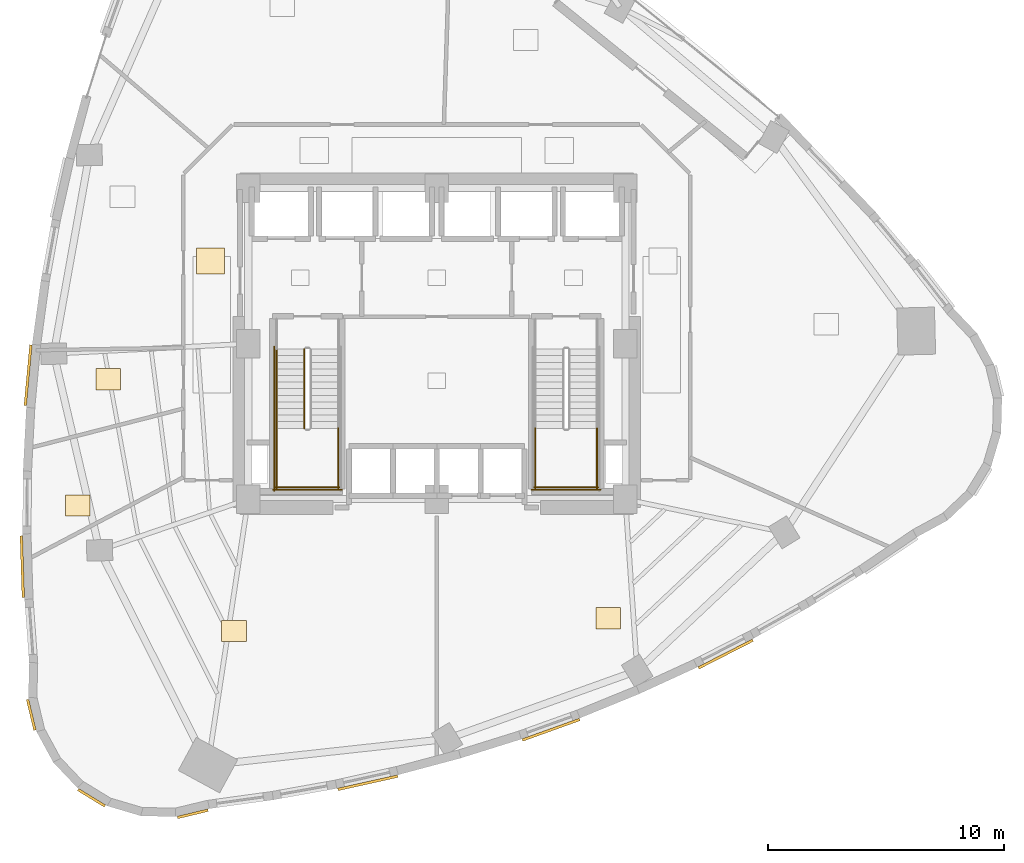
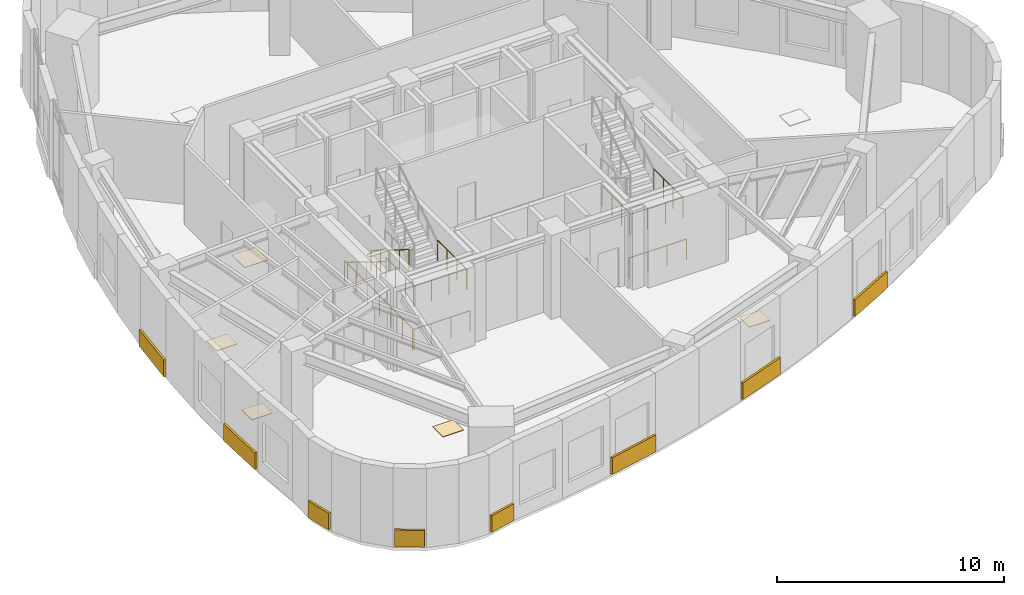
# One storey, part 14 of 16: 13 coverings, 11 railings.
"""IFC4 building model written with IfcOpenShell, lengths in metres."""

from ifc_helpers import new_model, si_unit, direction, frame, origin, origin_2d, place, context, subcontext, project, spatial, rectangle, circle, extrude, material, layer, layer_set, type_object, element, save


model = new_model("IFC4")

# Units and contexts
model_context = context("Model", 3, precision=1e-05, world=origin(), true_north=direction((0.0, 1.0)))
body_context = subcontext(model_context, "Body", "Model", "MODEL_VIEW")
ifc_project = project(units=[si_unit("LENGTHUNIT", "METRE"), si_unit("AREAUNIT", "SQUARE_METRE"), si_unit("VOLUMEUNIT", "CUBIC_METRE"), si_unit("PLANEANGLEUNIT", "RADIAN"), si_unit("MASSUNIT", "GRAM", prefix="KILO")], contexts=[model_context])

# Site, building, storey
site_placement = place(None, origin())
site = spatial("IfcSite", under=ifc_project, at=site_placement, CompositionType="ELEMENT")
building_placement = place(site_placement, origin())
building = spatial("IfcBuilding", under=site, at=building_placement, Name="Ndelora Gate Hotel", CompositionType="ELEMENT")
storey_placement = place(building_placement, frame((0.0, 0.0, 92.75)))
storey = spatial("IfcBuildingStorey", under=building, at=storey_placement, Name="L22", CompositionType="ELEMENT", Elevation=92.75)

# Coverings
ifc_material_1 = material(Name="Terracotta Fired Clay Brick Slip Cladding", Category="masonry")
ifc_layer_1 = layer(ifc_material_1, 0.110107421875)
ifc_layer_set_1 = layer_set([ifc_layer_1], Name="Terracotta Fired Clay Brick Slip Cladding")
covering_type_1 = type_object("IfcCoveringType", Name="COV-CLAD-BRK", PredefinedType="CLADDING", material=ifc_layer_set_1)
covering_1_placement = place(storey_placement, frame((-17.343505859375, -1.336669921875, 0.10009765625), z_axis=(0.0, 0.0, 1.0), x_axis=(0.093239485886, 0.995643710507, 0.0)))
element("IfcCovering", 1, at=covering_1_placement, inside=storey, type_object=covering_type_1, Name="L22 Rounded-Corner Brick Cladding Band 16", PredefinedType="CLADDING", context=body_context, shape_type="SweptSolid", body=[
    extrude(rectangle(XDim=2.583984375, YDim=0.110107421875, at=origin_2d()), origin(), (0.0, 0.0, 1.0), 0.89990234375),
])
covering_2_placement = place(storey_placement, frame((-17.58935546875, -9.464111328125, 0.10009765625), z_axis=(0.0, 0.0, 1.0), x_axis=(-0.03193409516, 0.999489976721, 0.0)))
element("IfcCovering", 2, at=covering_2_placement, inside=storey, type_object=covering_type_1, Name="L22 Rounded-Corner Brick Cladding Band 19", PredefinedType="CLADDING", context=body_context, shape_type="SweptSolid", body=[
    extrude(rectangle(XDim=2.626953125, YDim=0.110107421875, at=origin_2d()), origin(), (0.0, 0.0, 1.0), 0.89990234375),
])
for number, where, z_axis, x_axis, name in (
    (3, (-17.209716796875, -15.751708984375, 0.10009765625), (0.0, 0.0, 1.0), (-0.233445363856, 0.972369920398, 0.0), "L22 Rounded-Corner Brick Cladding Band 22"),
    (4, (-14.651611328125, -19.272705078125, 0.10009765625), (0.0, 0.0, 1.0), (-0.852640164354, 0.522498564716, 0.0), "L22 Rounded-Corner Brick Cladding Band 25"),
    (5, (-10.35302734375, -19.953369140625, 0.10009765625), (0.0, 0.0, 1.0), (0.972369920398, 0.233445363856, 0.0), "L22 Rounded-Corner Brick Cladding Band 28"),
):
    element("IfcCovering", number, at=place(storey_placement, frame(where, z_axis=z_axis, x_axis=x_axis)), inside=storey, type_object=covering_type_1, Name=name, PredefinedType="CLADDING", context=body_context, shape_type="SweptSolid", body=[
        extrude(rectangle(XDim=1.3359375, YDim=0.110107421875, at=origin_2d()), origin(), (0.0, 0.0, 1.0), 0.89990234375),
    ])
covering_3_placement = place(storey_placement, frame((-2.926513671875, -18.6357421875, 0.10009765625), z_axis=(0.0, 0.0, 1.0), x_axis=(0.976144665859, 0.21712114433, 0.0)))
element("IfcCovering", 6, at=covering_3_placement, inside=storey, type_object=covering_type_1, Name="L22 Rounded-Corner Brick Cladding Band 31", PredefinedType="CLADDING", context=body_context, shape_type="SweptSolid", body=[
    extrude(rectangle(XDim=2.60791015625, YDim=0.110107421875, at=origin_2d()), origin(), (0.0, 0.0, 1.0), 0.89990234375),
])
covering_4_placement = place(storey_placement, frame((4.849609375, -16.385498046875, 0.10009765625), z_axis=(0.0, 0.0, 1.0), x_axis=(0.94099895347, 0.338409470269, 0.0)))
element("IfcCovering", 7, at=covering_4_placement, inside=storey, type_object=covering_type_1, Name="L22 Rounded-Corner Brick Cladding Band 34", PredefinedType="CLADDING", context=body_context, shape_type="SweptSolid", body=[
    extrude(rectangle(XDim=2.580078125, YDim=0.110107421875, at=origin_2d()), origin(), (0.0, 0.0, 1.0), 0.89990234375),
])
covering_5_placement = place(storey_placement, frame((12.257568359375, -13.174560546875, 0.10009765625), z_axis=(0.0, 0.0, 1.0), x_axis=(0.890451205327, 0.455078730475, 0.0)))
element("IfcCovering", 8, at=covering_5_placement, inside=storey, type_object=covering_type_1, Name="L22 Rounded-Corner Brick Cladding Band 37", PredefinedType="CLADDING", context=body_context, shape_type="SweptSolid", body=[
    extrude(rectangle(XDim=2.593994140625, YDim=0.110107421875, at=origin_2d()), origin(), (0.0, 0.0, 1.0), 0.89990234375),
])
ifc_material_2 = material(Name="Engineered Highland Oak Parquet", Category="wood")
ifc_layer_2 = layer(ifc_material_2, 0.030029296875)
ifc_layer_set_2 = layer_set([ifc_layer_2], Name="Engineered Highland Oak Parquet")
covering_type_2 = type_object("IfcCoveringType", Name="COV-FLR-PARQ", PredefinedType="FLOORING", material=ifc_layer_set_2)
for number, where, z_axis, x_axis, name in (
    (9, (-8.606201171875, -12.189208984375, 0.0), (0.0, 0.0, 1.0), (1.0, 0.0, 0.0), "L22 Highland Spa Hydrotherapy Hall Oak Parquet Flooring"),
    (10, (7.275146484375, -11.65283203125, 0.0), (0.0, 0.0, 1.0), (1.0, 0.0, 0.0), "L22 Indoor Thermal Vitality Pool Oak Parquet Flooring"),
    (11, (-13.9375, -1.507568359375, 0.0), (0.0, 0.0, 1.0), (1.0, 0.0, 0.0), "L22 Housekeeping and Linen Room Oak Parquet Flooring"),
    (12, (-15.23046875, -6.868408203125, 0.0), (0.0, 0.0, 1.0), (1.0, 0.0, 0.0), "L22 Accessible WC Oak Parquet Flooring"),
):
    element("IfcCovering", number, at=place(storey_placement, frame(where, z_axis=z_axis, x_axis=x_axis)), inside=storey, type_object=covering_type_2, Name=name, PredefinedType="FLOORING", context=body_context, shape_type="SweptSolid", body=[
        extrude(rectangle(XDim=1.050048828125, YDim=0.89990234375, at=origin_2d()), origin(), (0.0, 0.0, 1.0), 0.030029296875),
    ])
ifc_material_3 = material(Name="Polished Highland Stone Terrazzo", Category="masonry")
ifc_layer_3 = layer(ifc_material_3, 0.034912109375)
ifc_layer_set_3 = layer_set([ifc_layer_3], Name="Polished Highland Stone Terrazzo")
covering_type_3 = type_object("IfcCoveringType", Name="COV-FLR-TERZ", PredefinedType="FLOORING", material=ifc_layer_set_3)
covering_6_placement = place(storey_placement, frame((-9.60009765625, 3.5, 0.0), z_axis=(0.0, 0.0, 1.0), x_axis=(1.0, 0.0, 0.0)))
element("IfcCovering", 13, at=covering_6_placement, inside=storey, type_object=covering_type_3, Name="L22 Corridor Threshold Terrazzo Inlay W", PredefinedType="FLOORING", context=body_context, shape_type="SweptSolid", body=[
    extrude(rectangle(XDim=1.199951171875, YDim=1.10009765625, at=origin_2d()), origin(), (0.0, 0.0, 1.0), 0.034912109375),
])

# Railings
ifc_material_4 = material(Name="Painted Galvanized Steel Balustrade", Category="steel")
ifc_layer_4 = layer(ifc_material_4, 0.06005859375)
ifc_layer_set_4 = layer_set([ifc_layer_4], Name="Painted Galvanized Steel Balustrade")
railing_type_1 = type_object("IfcRailingType", Name="RL-STAIR-GD", PredefinedType="GUARDRAIL", material=ifc_layer_set_4)
railing_1_placement = place(storey_placement, frame((-5.6201171875, -0.22998046875, 0.173095703125)))
element("IfcRailing", 14, at=railing_1_placement, inside=storey, type_object=railing_type_1, Name="L22 ST4 stair guard 1", PredefinedType="GUARDRAIL", context=body_context, shape_type="SweptSolid", body=[
    extrude(circle(Radius=0.02392578125, at=origin_2d()), frame((0.0, 0.0, 1.10595703125), z_axis=(0.0, -0.850623216509, 0.525775754039), x_axis=(1.0, 0.0, 0.0)), (0.0, 0.0, 1.0), 3.9501953125),
    extrude(circle(Radius=0.02099609375, at=origin_2d()), origin(), (0.0, 0.0, 1.0), 1.081787109375),
    extrude(circle(Radius=0.02099609375, at=origin_2d()), frame((0.0, -0.840087890625, 0.519287109375)), (0.0, 0.0, 1.0), 1.081787109375),
    extrude(circle(Radius=0.02099609375, at=origin_2d()), frame((0.0, -1.68017578125, 1.03857421875)), (0.0, 0.0, 1.0), 1.081787109375),
    extrude(circle(Radius=0.02099609375, at=origin_2d()), frame((0.0, -2.52001953125, 1.5576171875)), (0.0, 0.0, 1.0), 1.081787109375),
    extrude(circle(Radius=0.02099609375, at=origin_2d()), frame((0.0, -3.360107421875, 2.076904296875)), (0.0, 0.0, 1.0), 1.081787109375),
])
for number, where, name in (
    (15, (-6.800048828125, -3.590087890625, 2.25), "L22 ST4 stair guard 3"),
    (16, (-4.179931640625, -3.590087890625, 2.25), "L22 ST4 stair guard 4"),
):
    element("IfcRailing", number, at=place(storey_placement, frame(where)), inside=storey, type_object=railing_type_1, Name=name, PredefinedType="GUARDRAIL", context=body_context, shape_type="SweptSolid", body=[
        extrude(circle(Radius=0.02392578125, at=origin_2d()), frame((0.0, 0.0, 1.10595703125), z_axis=(0.0, -1.0, 0.0), x_axis=(1.0, 0.0, 0.0)), (0.0, 0.0, 1.0), 2.559814453125),
        extrude(circle(Radius=0.02099609375, at=origin_2d()), origin(), (0.0, 0.0, 1.0), 1.081787109375),
        extrude(circle(Radius=0.02099609375, at=origin_2d()), frame((0.0, -0.853271484375, 0.0)), (0.0, 0.0, 1.0), 1.081787109375),
        extrude(circle(Radius=0.02099609375, at=origin_2d()), frame((0.0, -1.70654296875, 0.0)), (0.0, 0.0, 1.0), 1.081787109375),
        extrude(circle(Radius=0.02099609375, at=origin_2d()), frame((0.0, -2.559814453125, 0.0)), (0.0, 0.0, 1.0), 1.081787109375),
    ])
railing_2_placement = place(storey_placement, frame((-6.85009765625, -6.10009765625, 2.25)))
element("IfcRailing", 17, at=railing_2_placement, inside=storey, type_object=railing_type_1, Name="L22 ST4 stair guard 5", PredefinedType="GUARDRAIL", context=body_context, shape_type="SweptSolid", body=[
    extrude(circle(Radius=0.02392578125, at=origin_2d()), frame((0.0, 0.0, 1.10595703125), z_axis=(1.0, 0.0, 0.0), x_axis=(0.0, 1.0, 0.0)), (0.0, 0.0, 1.0), 2.72021484375),
    extrude(circle(Radius=0.02099609375, at=origin_2d()), origin(), (0.0, 0.0, 1.0), 1.081787109375),
    extrude(circle(Radius=0.02099609375, at=origin_2d()), frame((0.90673828125, 0.0, 0.0)), (0.0, 0.0, 1.0), 1.081787109375),
    extrude(circle(Radius=0.02099609375, at=origin_2d()), frame((1.8134765625, 0.0, 0.0)), (0.0, 0.0, 1.0), 1.081787109375),
    extrude(circle(Radius=0.02099609375, at=origin_2d()), frame((2.72021484375, 0.0, 0.0)), (0.0, 0.0, 1.0), 1.081787109375),
])
railing_3_placement = place(storey_placement, frame((-6.89990234375, -0.1298828125, 0.0)))
element("IfcRailing", 18, at=railing_3_placement, inside=storey, type_object=railing_type_1, Name="L22 ST4 stair guard 10", PredefinedType="GUARDRAIL", context=body_context, shape_type="SweptSolid", body=[
    extrude(circle(Radius=0.02392578125, at=origin_2d()), frame((0.0, 0.0, 1.10595703125), z_axis=(0.0, -1.0, 0.0), x_axis=(1.0, 0.0, 0.0)), (0.0, 0.0, 1.0), 6.1201171875),
    extrude(circle(Radius=0.02099609375, at=origin_2d()), origin(), (0.0, 0.0, 1.0), 1.081787109375),
    extrude(circle(Radius=0.02099609375, at=origin_2d()), frame((0.0, -1.02001953125, 0.0)), (0.0, 0.0, 1.0), 1.081787109375),
    extrude(circle(Radius=0.02099609375, at=origin_2d()), frame((0.0, -2.0400390625, 0.0)), (0.0, 0.0, 1.0), 1.081787109375),
    extrude(circle(Radius=0.02099609375, at=origin_2d()), frame((0.0, -3.06005859375, 0.0)), (0.0, 0.0, 1.0), 1.081787109375),
    extrude(circle(Radius=0.02099609375, at=origin_2d()), frame((0.0, -4.080078125, 0.0)), (0.0, 0.0, 1.0), 1.081787109375),
    extrude(circle(Radius=0.02099609375, at=origin_2d()), frame((0.0, -5.10009765625, 0.0)), (0.0, 0.0, 1.0), 1.081787109375),
    extrude(circle(Radius=0.02099609375, at=origin_2d()), frame((0.0, -6.1201171875, 0.0)), (0.0, 0.0, 1.0), 1.081787109375),
])
railing_4_placement = place(storey_placement, frame((-6.949951171875, -6.199951171875, 0.0)))
element("IfcRailing", 19, at=railing_4_placement, inside=storey, type_object=railing_type_1, Name="L22 ST4 stair guard 12", PredefinedType="GUARDRAIL", context=body_context, shape_type="SweptSolid", body=[
    extrude(circle(Radius=0.02392578125, at=origin_2d()), frame((0.0, 0.0, 1.10595703125), z_axis=(1.0, 0.0, 0.0), x_axis=(0.0, 1.0, 0.0)), (0.0, 0.0, 1.0), 2.919921875),
    extrude(circle(Radius=0.02099609375, at=origin_2d()), origin(), (0.0, 0.0, 1.0), 1.081787109375),
    extrude(circle(Radius=0.02099609375, at=origin_2d()), frame((0.973388671875, 0.0, 0.0)), (0.0, 0.0, 1.0), 1.081787109375),
    extrude(circle(Radius=0.02099609375, at=origin_2d()), frame((1.946533203125, 0.0, 0.0)), (0.0, 0.0, 1.0), 1.081787109375),
    extrude(circle(Radius=0.02099609375, at=origin_2d()), frame((2.919921875, 0.0, 0.0)), (0.0, 0.0, 1.0), 1.081787109375),
])
for number, where, name in (
    (20, (4.179931640625, -3.590087890625, 2.25), "L22 ST5 stair guard 3"),
    (21, (6.800048828125, -3.590087890625, 2.25), "L22 ST5 stair guard 4"),
):
    element("IfcRailing", number, at=place(storey_placement, frame(where)), inside=storey, type_object=railing_type_1, Name=name, PredefinedType="GUARDRAIL", context=body_context, shape_type="SweptSolid", body=[
        extrude(circle(Radius=0.02392578125, at=origin_2d()), frame((0.0, 0.0, 1.10595703125), z_axis=(0.0, -1.0, 0.0), x_axis=(1.0, 0.0, 0.0)), (0.0, 0.0, 1.0), 2.559814453125),
        extrude(circle(Radius=0.02099609375, at=origin_2d()), origin(), (0.0, 0.0, 1.0), 1.081787109375),
        extrude(circle(Radius=0.02099609375, at=origin_2d()), frame((0.0, -0.853271484375, 0.0)), (0.0, 0.0, 1.0), 1.081787109375),
        extrude(circle(Radius=0.02099609375, at=origin_2d()), frame((0.0, -1.70654296875, 0.0)), (0.0, 0.0, 1.0), 1.081787109375),
        extrude(circle(Radius=0.02099609375, at=origin_2d()), frame((0.0, -2.559814453125, 0.0)), (0.0, 0.0, 1.0), 1.081787109375),
    ])
railing_5_placement = place(storey_placement, frame((4.1298828125, -6.10009765625, 2.25)))
element("IfcRailing", 22, at=railing_5_placement, inside=storey, type_object=railing_type_1, Name="L22 ST5 stair guard 5", PredefinedType="GUARDRAIL", context=body_context, shape_type="SweptSolid", body=[
    extrude(circle(Radius=0.02392578125, at=origin_2d()), frame((0.0, 0.0, 1.10595703125), z_axis=(1.0, 0.0, 0.0), x_axis=(0.0, 1.0, 0.0)), (0.0, 0.0, 1.0), 2.72021484375),
    extrude(circle(Radius=0.02099609375, at=origin_2d()), origin(), (0.0, 0.0, 1.0), 1.081787109375),
    extrude(circle(Radius=0.02099609375, at=origin_2d()), frame((0.90673828125, 0.0, 0.0)), (0.0, 0.0, 1.0), 1.081787109375),
    extrude(circle(Radius=0.02099609375, at=origin_2d()), frame((1.8134765625, 0.0, 0.0)), (0.0, 0.0, 1.0), 1.081787109375),
    extrude(circle(Radius=0.02099609375, at=origin_2d()), frame((2.72021484375, 0.0, 0.0)), (0.0, 0.0, 1.0), 1.081787109375),
])
railing_6_placement = place(storey_placement, frame((4.030029296875, -6.199951171875, 0.0)))
element("IfcRailing", 23, at=railing_6_placement, inside=storey, type_object=railing_type_1, Name="L22 ST5 stair guard 12", PredefinedType="GUARDRAIL", context=body_context, shape_type="SweptSolid", body=[
    extrude(circle(Radius=0.02392578125, at=origin_2d()), frame((0.0, 0.0, 1.10595703125), z_axis=(1.0, 0.0, 0.0), x_axis=(0.0, 1.0, 0.0)), (0.0, 0.0, 1.0), 2.919921875),
    extrude(circle(Radius=0.02099609375, at=origin_2d()), origin(), (0.0, 0.0, 1.0), 1.081787109375),
    extrude(circle(Radius=0.02099609375, at=origin_2d()), frame((0.973388671875, 0.0, 0.0)), (0.0, 0.0, 1.0), 1.081787109375),
    extrude(circle(Radius=0.02099609375, at=origin_2d()), frame((1.946533203125, 0.0, 0.0)), (0.0, 0.0, 1.0), 1.081787109375),
    extrude(circle(Radius=0.02099609375, at=origin_2d()), frame((2.919921875, 0.0, 0.0)), (0.0, 0.0, 1.0), 1.081787109375),
])
ifc_material_5 = material(Name="Brushed Stainless Steel 316", Category="steel")
ifc_layer_5 = layer(ifc_material_5, 0.050048828125)
ifc_layer_set_5 = layer_set([ifc_layer_5], Name="Brushed Stainless Steel 316")
railing_type_2 = type_object("IfcRailingType", Name="RL-STAIR-HR", PredefinedType="HANDRAIL", material=ifc_layer_set_5)
railing_7_placement = place(storey_placement, frame((-6.800048828125, -0.22998046875, 0.173095703125)))
element("IfcRailing", 24, at=railing_7_placement, inside=storey, type_object=railing_type_2, Name="L22 ST4 stair handrail 1", PredefinedType="HANDRAIL", context=body_context, shape_type="SweptSolid", body=[
    extrude(circle(Radius=0.02392578125, at=origin_2d()), frame((0.0, 0.0, 0.8759765625), z_axis=(0.0, -0.850623216509, 0.525775754039), x_axis=(1.0, 0.0, 0.0)), (0.0, 0.0, 1.0), 3.9501953125),
    extrude(circle(Radius=0.02099609375, at=origin_2d()), origin(), (0.0, 0.0, 1.0), 0.851806640625),
    extrude(circle(Radius=0.02099609375, at=origin_2d()), frame((0.0, -0.840087890625, 0.519287109375)), (0.0, 0.0, 1.0), 0.851806640625),
    extrude(circle(Radius=0.02099609375, at=origin_2d()), frame((0.0, -1.68017578125, 1.03857421875)), (0.0, 0.0, 1.0), 0.851806640625),
    extrude(circle(Radius=0.02099609375, at=origin_2d()), frame((0.0, -2.52001953125, 1.5576171875)), (0.0, 0.0, 1.0), 0.851806640625),
    extrude(circle(Radius=0.02099609375, at=origin_2d()), frame((0.0, -3.360107421875, 2.076904296875)), (0.0, 0.0, 1.0), 0.851806640625),
])

save(model, "model.ifc")
